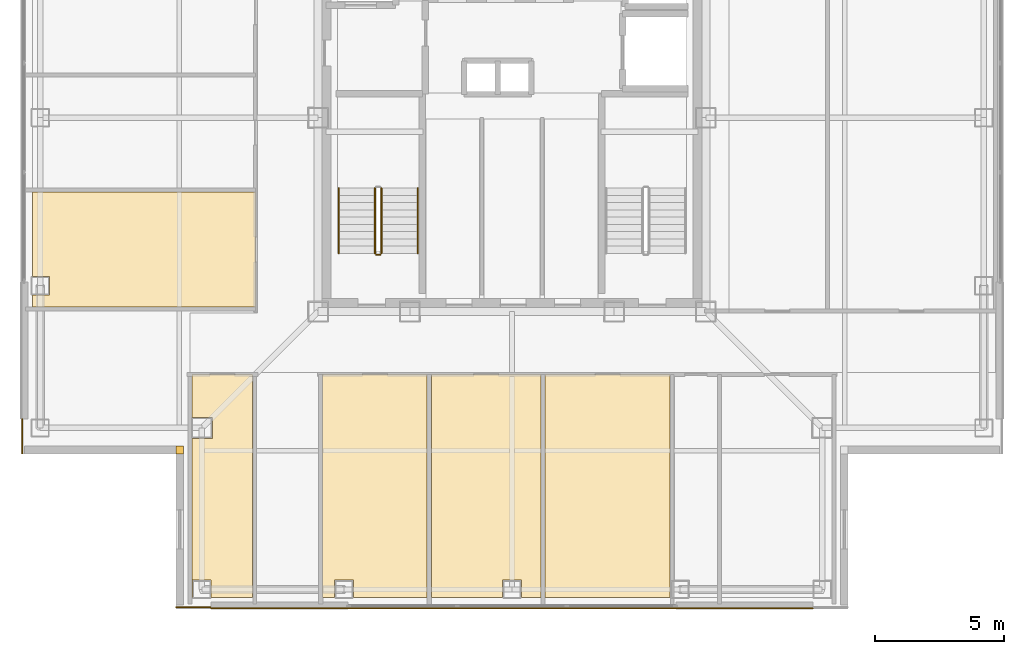
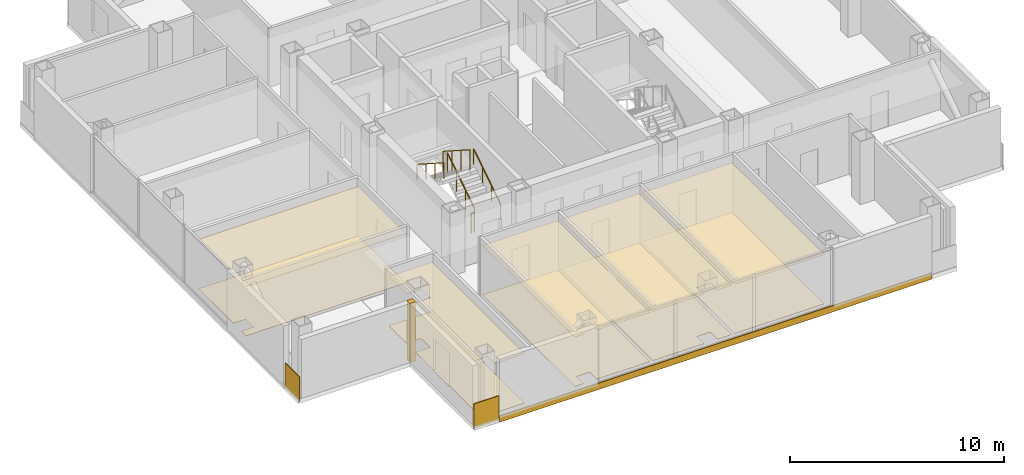
# One storey, part 11 of 16: 14 coverings, 5 railings.
"""IFC4 building model written with IfcOpenShell, lengths in metres."""

from ifc_helpers import new_model, si_unit, direction, frame, frame_2d, origin, origin_2d, place, context, subcontext, project, spatial, polyline, rectangle, circle, outline, extrude, material, layer, layer_set, type_object, element, save


model = new_model("IFC4")

# Units and contexts
model_context = context("Model", 3, precision=1e-05, world=origin(), true_north=direction((0.0, 1.0)))
body_context = subcontext(model_context, "Body", "Model", "MODEL_VIEW")
ifc_project = project(units=[si_unit("LENGTHUNIT", "METRE"), si_unit("AREAUNIT", "SQUARE_METRE"), si_unit("VOLUMEUNIT", "CUBIC_METRE"), si_unit("PLANEANGLEUNIT", "RADIAN"), si_unit("MASSUNIT", "GRAM", prefix="KILO")], contexts=[model_context])

# Site, building, storey
site_placement = place(None, origin())
site = spatial("IfcSite", under=ifc_project, at=site_placement, CompositionType="ELEMENT")
building_placement = place(site_placement, origin())
building = spatial("IfcBuilding", under=site, at=building_placement, Name="Trevonay Congress Spire", CompositionType="ELEMENT")
storey_placement = place(building_placement, frame((0.0, 0.0, 236.0)))
storey = spatial("IfcBuildingStorey", under=building, at=storey_placement, Name="L61", CompositionType="ELEMENT", Elevation=236.0)

# Coverings
ifc_material_1 = material(Name="Acoustic Mineral Fibre Board", Category="gypsum")
ifc_layer_1 = layer(ifc_material_1, 0.02490234375, Name="Acoustic Mineral Fibre Board")
ifc_layer_set_1 = layer_set([ifc_layer_1], Name="Acoustic Mineral Fibre Board")
covering_type_1 = type_object("IfcCoveringType", Name="COV-CEIL-ACOUSTIC", PredefinedType="CEILING", material=ifc_layer_set_1)
covering_1_placement = place(storey_placement, frame((0.0, 0.0, 2.81005859375)))
element("IfcCovering", 1, at=covering_1_placement, inside=storey, type_object=covering_type_1, Name="L61 Ambassador Corner Office acoustic suspended ceiling", PredefinedType="CEILING", context=body_context, shape_type="SweptSolid", body=[
    extrude(outline(polyline([(-12.3701171875, -18.550048828125), (-12.3701171875, -12.409912109375), (-11.590087890625, -12.409912109375), (-11.590087890625, -11.590087890625), (-12.3701171875, -11.590087890625), (-12.3701171875, -9.929931640625), (-10.030029296875, -9.929931640625), (-10.030029296875, -18.550048828125), (-11.639892578125, -18.550048828125), (-11.639892578125, -17.889892578125), (-12.360107421875, -17.889892578125), (-12.360107421875, -18.550048828125), (-12.3701171875, -18.550048828125)])), origin(), (0.0, 0.0, 1.0), 0.02490234375),
])
covering_2_placement = place(storey_placement, frame((0.0, 0.0, 2.81005859375)))
element("IfcCovering", 2, at=covering_2_placement, inside=storey, type_object=covering_type_1, Name="L61 Consular Visa Office acoustic suspended ceiling", PredefinedType="CEILING", context=body_context, shape_type="SweptSolid", body=[
    extrude(outline(polyline([(-7.320068359375, -18.550048828125), (-7.320068359375, -9.929931640625), (-3.280029296875, -9.929931640625), (-3.280029296875, -18.550048828125), (-6.139892578125, -18.550048828125), (-6.139892578125, -17.889892578125), (-6.860107421875, -17.889892578125), (-6.860107421875, -18.550048828125), (-7.320068359375, -18.550048828125)])), origin(), (0.0, 0.0, 1.0), 0.02490234375),
])
covering_3_placement = place(storey_placement, frame((0.0, 0.0, 2.81005859375)))
element("IfcCovering", 3, at=covering_3_placement, inside=storey, type_object=covering_type_1, Name="L61 Political Chancery Office acoustic suspended ceiling", PredefinedType="CEILING", context=body_context, shape_type="SweptSolid", body=[
    extrude(outline(polyline([(-3.1201171875, -18.550048828125), (-3.1201171875, -9.929931640625), (1.1201171875, -9.929931640625), (1.1201171875, -18.550048828125), (0.360107421875, -18.550048828125), (0.360107421875, -17.889892578125), (-0.360107421875, -17.889892578125), (-0.360107421875, -18.550048828125), (-3.1201171875, -18.550048828125)])), origin(), (0.0, 0.0, 1.0), 0.02490234375),
])
covering_4_placement = place(storey_placement, frame((0.0, 0.0, 2.81005859375)))
element("IfcCovering", 4, at=covering_4_placement, inside=storey, type_object=covering_type_1, Name="L61 Economic Attache Office acoustic suspended ceiling", PredefinedType="CEILING", context=body_context, shape_type="SweptSolid", body=[
    extrude(outline(polyline([(1.280029296875, -18.550048828125), (6.1201171875, -18.550048828125), (6.1201171875, -9.929931640625), (1.280029296875, -9.929931640625), (1.280029296875, -18.550048828125)])), origin(), (0.0, 0.0, 1.0), 0.02490234375),
])
covering_5_placement = place(storey_placement, frame((0.0, 0.0, 2.81005859375)))
element("IfcCovering", 5, at=covering_5_placement, inside=storey, type_object=covering_type_1, Name="L61 Cultural Attache Office acoustic suspended ceiling", PredefinedType="CEILING", context=body_context, shape_type="SweptSolid", body=[
    extrude(outline(polyline([(-18.550048828125, -2.8798828125), (-9.929931640625, -2.8798828125), (-9.929931640625, -7.320068359375), (-18.550048828125, -7.320068359375), (-18.550048828125, -6.860107421875), (-17.889892578125, -6.860107421875), (-17.889892578125, -6.139892578125), (-18.550048828125, -6.139892578125), (-18.550048828125, -2.8798828125)])), origin(), (0.0, 0.0, 1.0), 0.02490234375),
])
ifc_material_2 = material(Name="Engineered Oak Flooring", Category="wood")
ifc_layer_2 = layer(ifc_material_2, 0.01806640625, Name="Engineered Oak Flooring")
ifc_layer_set_2 = layer_set([ifc_layer_2], Name="Engineered Oak Flooring")
covering_type_2 = type_object("IfcCoveringType", Name="COV-FLOOR-TIMBER", PredefinedType="FLOORING", material=ifc_layer_set_2)
covering_6_placement = place(storey_placement, origin())
element("IfcCovering", 6, at=covering_6_placement, inside=storey, type_object=covering_type_2, Name="L61 Ambassador Corner Office floor finish", PredefinedType="FLOORING", context=body_context, shape_type="SweptSolid", body=[
    extrude(outline(polyline([(-12.3701171875, -18.550048828125), (-12.3701171875, -12.409912109375), (-11.590087890625, -12.409912109375), (-11.590087890625, -11.590087890625), (-12.3701171875, -11.590087890625), (-12.3701171875, -9.929931640625), (-10.030029296875, -9.929931640625), (-10.030029296875, -18.550048828125), (-11.639892578125, -18.550048828125), (-11.639892578125, -17.889892578125), (-12.360107421875, -17.889892578125), (-12.360107421875, -18.550048828125), (-12.3701171875, -18.550048828125)])), origin(), (0.0, 0.0, 1.0), 0.01806640625),
])
covering_7_placement = place(storey_placement, origin())
element("IfcCovering", 7, at=covering_7_placement, inside=storey, type_object=covering_type_2, Name="L61 Consular Visa Office floor finish", PredefinedType="FLOORING", context=body_context, shape_type="SweptSolid", body=[
    extrude(outline(polyline([(-7.320068359375, -18.550048828125), (-7.320068359375, -9.929931640625), (-3.280029296875, -9.929931640625), (-3.280029296875, -18.550048828125), (-6.139892578125, -18.550048828125), (-6.139892578125, -17.889892578125), (-6.860107421875, -17.889892578125), (-6.860107421875, -18.550048828125), (-7.320068359375, -18.550048828125)])), origin(), (0.0, 0.0, 1.0), 0.01806640625),
])
covering_8_placement = place(storey_placement, origin())
element("IfcCovering", 8, at=covering_8_placement, inside=storey, type_object=covering_type_2, Name="L61 Political Chancery Office floor finish", PredefinedType="FLOORING", context=body_context, shape_type="SweptSolid", body=[
    extrude(outline(polyline([(-3.1201171875, -18.550048828125), (-3.1201171875, -9.929931640625), (1.1201171875, -9.929931640625), (1.1201171875, -18.550048828125), (0.360107421875, -18.550048828125), (0.360107421875, -17.889892578125), (-0.360107421875, -17.889892578125), (-0.360107421875, -18.550048828125), (-3.1201171875, -18.550048828125)])), origin(), (0.0, 0.0, 1.0), 0.01806640625),
])
covering_9_placement = place(storey_placement, origin())
element("IfcCovering", 9, at=covering_9_placement, inside=storey, type_object=covering_type_2, Name="L61 Economic Attache Office floor finish", PredefinedType="FLOORING", context=body_context, shape_type="SweptSolid", body=[
    extrude(outline(polyline([(1.280029296875, -18.550048828125), (6.1201171875, -18.550048828125), (6.1201171875, -9.929931640625), (1.280029296875, -9.929931640625), (1.280029296875, -18.550048828125)])), origin(), (0.0, 0.0, 1.0), 0.01806640625),
])
covering_10_placement = place(storey_placement, origin())
element("IfcCovering", 10, at=covering_10_placement, inside=storey, type_object=covering_type_2, Name="L61 Cultural Attache Office floor finish", PredefinedType="FLOORING", context=body_context, shape_type="SweptSolid", body=[
    extrude(outline(polyline([(-18.550048828125, -2.8798828125), (-9.929931640625, -2.8798828125), (-9.929931640625, -7.320068359375), (-18.550048828125, -7.320068359375), (-18.550048828125, -6.860107421875), (-17.889892578125, -6.860107421875), (-17.889892578125, -6.139892578125), (-18.550048828125, -6.139892578125), (-18.550048828125, -2.8798828125)])), origin(), (0.0, 0.0, 1.0), 0.01806640625),
])
ifc_material_3 = material(Name="Pale Anodised Aluminium EN AW-6063-T6", Category="aluminium")
ifc_layer_3 = layer(ifc_material_3, 0.0400390625, Name="Pale Anodised Aluminium EN AW-6063-T6")
ifc_layer_set_3 = layer_set([ifc_layer_3], Name="Pale Anodised Aluminium EN AW-6063-T6")
covering_type_3 = type_object("IfcCoveringType", Name="COV-SPANDREL-PALE-METAL", PredefinedType="CLADDING", material=ifc_layer_set_3)
covering_11_placement = place(storey_placement, frame((-11.64990234375, -18.97998046875, -0.239990234375), z_axis=(0.0, 0.0, 1.0), x_axis=(1.0, 0.0, 0.0)))
element("IfcCovering", 11, at=covering_11_placement, inside=storey, type_object=covering_type_3, Name="L61 S pale-metal slab-edge spandrel cladding", PredefinedType="CLADDING", context=body_context, shape_type="SweptSolid", body=[
    extrude(rectangle(XDim=23.2998046875, YDim=0.0400390625, at=frame_2d((11.64990234375, 0.0))), origin(), (0.0, 0.0, 1.0), 0.360107421875),
])
covering_12_placement = place(storey_placement, origin())
element("IfcCovering", 12, at=covering_12_placement, inside=storey, type_object=covering_type_3, Name="L61 SW re-entrant notch corner closure trim", PredefinedType="CLADDING", context=body_context, shape_type="SweptSolid", body=[
    extrude(outline(polyline([(-13.0, -13.0), (-12.699951171875, -13.0), (-12.699951171875, -12.699951171875), (-13.0, -12.699951171875), (-13.0, -13.0)])), origin(), (0.0, 0.0, 1.0), 3.360107421875),
])
for number, where, z_axis, x_axis, name in (
    (13, (-18.93994140625, -11.64990234375, -0.14990234375), (0.0, 0.0, 1.0), (0.0, -1.0, 0.0), "L61 SW corner pier spandrel cladding 1"),
    (14, (-11.64990234375, -18.93994140625, -0.14990234375), (0.0, 0.0, 1.0), (-1.0, 0.0, 0.0), "L61 SW corner pier spandrel cladding 2"),
):
    element("IfcCovering", number, at=place(storey_placement, frame(where, z_axis=z_axis, x_axis=x_axis)), inside=storey, type_object=covering_type_3, Name=name, PredefinedType="CLADDING", context=body_context, shape_type="SweptSolid", body=[
        extrude(rectangle(XDim=1.35009765625, YDim=0.0400390625, at=frame_2d((0.675048828125, 0.0))), origin(), (0.0, 0.0, 1.0), 1.39990234375),
    ])

# Railings
railing_type_1 = type_object("IfcRailingType", Name="RAL-STAIR-GUARD-110", PredefinedType="GUARDRAIL", material=ifc_material_3)
railing_1_placement = place(storey_placement, frame((-5.050048828125, -5.25, 0.179931640625)))
element("IfcRailing", 15, at=railing_1_placement, inside=storey, type_object=railing_type_1, Name="L61 ST-1 stair guard 1", PredefinedType="GUARDRAIL", context=body_context, shape_type="SweptSolid", body=[
    extrude(circle(Radius=0.02392578125, at=origin_2d()), frame((0.0, 0.0, 1.1259765625), z_axis=(0.0, 0.841162588446, 0.540782303519), x_axis=(-1.0, 0.0, 0.0)), (0.0, 0.0, 1.0), 2.995849609375),
    extrude(circle(Radius=0.02099609375, at=origin_2d()), origin(), (0.0, 0.0, 1.0), 1.101806640625),
    extrude(circle(Radius=0.02099609375, at=origin_2d()), frame((0.0, 0.840087890625, 0.5400390625)), (0.0, 0.0, 1.0), 1.101806640625),
    extrude(circle(Radius=0.02099609375, at=origin_2d()), frame((0.0, 1.679931640625, 1.080078125)), (0.0, 0.0, 1.0), 1.101806640625),
    extrude(circle(Radius=0.02099609375, at=origin_2d()), frame((0.0, 2.52001953125, 1.6201171875)), (0.0, 0.0, 1.0), 1.101806640625),
])
railing_2_placement = place(storey_placement, frame((-5.300048828125, -2.72998046875, 1.97998046875)))
element("IfcRailing", 16, at=railing_2_placement, inside=storey, type_object=railing_type_1, Name="L61 ST-1 stair guard 3", PredefinedType="GUARDRAIL", context=body_context, shape_type="SweptSolid", body=[
    extrude(circle(Radius=0.02392578125, at=origin_2d()), frame((0.0, 0.0, 1.1259765625), z_axis=(0.0, -0.841162588446, 0.540782303519), x_axis=(1.0, 0.0, 0.0)), (0.0, 0.0, 1.0), 2.995849609375),
    extrude(circle(Radius=0.02099609375, at=origin_2d()), origin(), (0.0, 0.0, 1.0), 1.101806640625),
    extrude(circle(Radius=0.02099609375, at=origin_2d()), frame((0.0, -0.840087890625, 0.5400390625)), (0.0, 0.0, 1.0), 1.101806640625),
    extrude(circle(Radius=0.02099609375, at=origin_2d()), frame((0.0, -1.679931640625, 1.080078125)), (0.0, 0.0, 1.0), 1.101806640625),
    extrude(circle(Radius=0.02099609375, at=origin_2d()), frame((0.0, -2.52001953125, 1.6201171875)), (0.0, 0.0, 1.0), 1.101806640625),
])
railing_3_placement = place(storey_placement, frame((-5.10009765625, -5.300048828125, 0.0)))
element("IfcRailing", 17, at=railing_3_placement, inside=storey, type_object=railing_type_1, Name="L61 ST-1 stair guard 4", PredefinedType="GUARDRAIL", context=body_context, shape_type="SweptSolid", body=[
    extrude(circle(Radius=0.02392578125, at=origin_2d()), frame((0.0, 0.0, 1.1259765625), z_axis=(-1.0, 0.0, 0.0), x_axis=(0.0, -1.0, 0.0)), (0.0, 0.0, 1.0), 0.14990234375),
    extrude(circle(Radius=0.02099609375, at=origin_2d()), origin(), (0.0, 0.0, 1.0), 1.101806640625),
    extrude(circle(Radius=0.02099609375, at=origin_2d()), frame((-0.14990234375, 0.0, 0.0)), (0.0, 0.0, 1.0), 1.101806640625),
])
railing_type_2 = type_object("IfcRailingType", Name="RAL-STAIR-HANDRAIL", PredefinedType="HANDRAIL", material=ifc_material_3)
railing_4_placement = place(storey_placement, frame((-3.64990234375, -5.25, 0.179931640625)))
element("IfcRailing", 18, at=railing_4_placement, inside=storey, type_object=railing_type_2, Name="L61 ST-1 stair handrail 1", PredefinedType="HANDRAIL", context=body_context, shape_type="SweptSolid", body=[
    extrude(circle(Radius=0.02392578125, at=origin_2d()), frame((0.0, 0.0, 0.8759765625), z_axis=(0.0, 0.841162588446, 0.540782303519), x_axis=(-1.0, 0.0, 0.0)), (0.0, 0.0, 1.0), 2.995849609375),
    extrude(circle(Radius=0.02099609375, at=origin_2d()), origin(), (0.0, 0.0, 1.0), 0.851806640625),
    extrude(circle(Radius=0.02099609375, at=origin_2d()), frame((0.0, 0.840087890625, 0.5400390625)), (0.0, 0.0, 1.0), 0.851806640625),
    extrude(circle(Radius=0.02099609375, at=origin_2d()), frame((0.0, 1.679931640625, 1.080078125)), (0.0, 0.0, 1.0), 0.851806640625),
    extrude(circle(Radius=0.02099609375, at=origin_2d()), frame((0.0, 2.52001953125, 1.6201171875)), (0.0, 0.0, 1.0), 0.851806640625),
])
railing_5_placement = place(storey_placement, frame((-6.699951171875, -2.72998046875, 1.97998046875)))
element("IfcRailing", 19, at=railing_5_placement, inside=storey, type_object=railing_type_2, Name="L61 ST-1 stair handrail 2", PredefinedType="HANDRAIL", context=body_context, shape_type="SweptSolid", body=[
    extrude(circle(Radius=0.02392578125, at=origin_2d()), frame((0.0, 0.0, 0.8759765625), z_axis=(0.0, -0.841162588446, 0.540782303519), x_axis=(1.0, 0.0, 0.0)), (0.0, 0.0, 1.0), 2.995849609375),
    extrude(circle(Radius=0.02099609375, at=origin_2d()), origin(), (0.0, 0.0, 1.0), 0.851806640625),
    extrude(circle(Radius=0.02099609375, at=origin_2d()), frame((0.0, -0.840087890625, 0.5400390625)), (0.0, 0.0, 1.0), 0.851806640625),
    extrude(circle(Radius=0.02099609375, at=origin_2d()), frame((0.0, -1.679931640625, 1.080078125)), (0.0, 0.0, 1.0), 0.851806640625),
    extrude(circle(Radius=0.02099609375, at=origin_2d()), frame((0.0, -2.52001953125, 1.6201171875)), (0.0, 0.0, 1.0), 0.851806640625),
])

save(model, "model.ifc")
